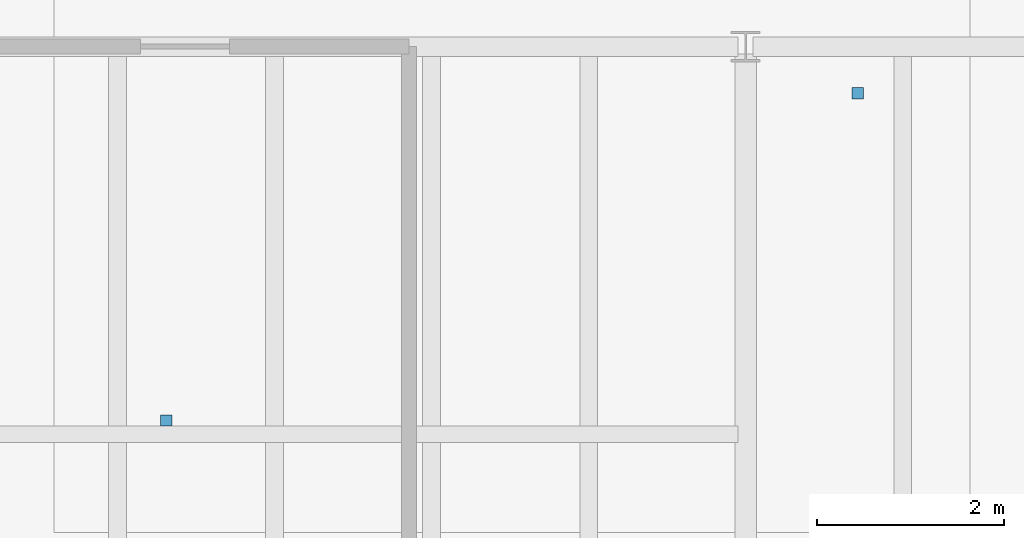
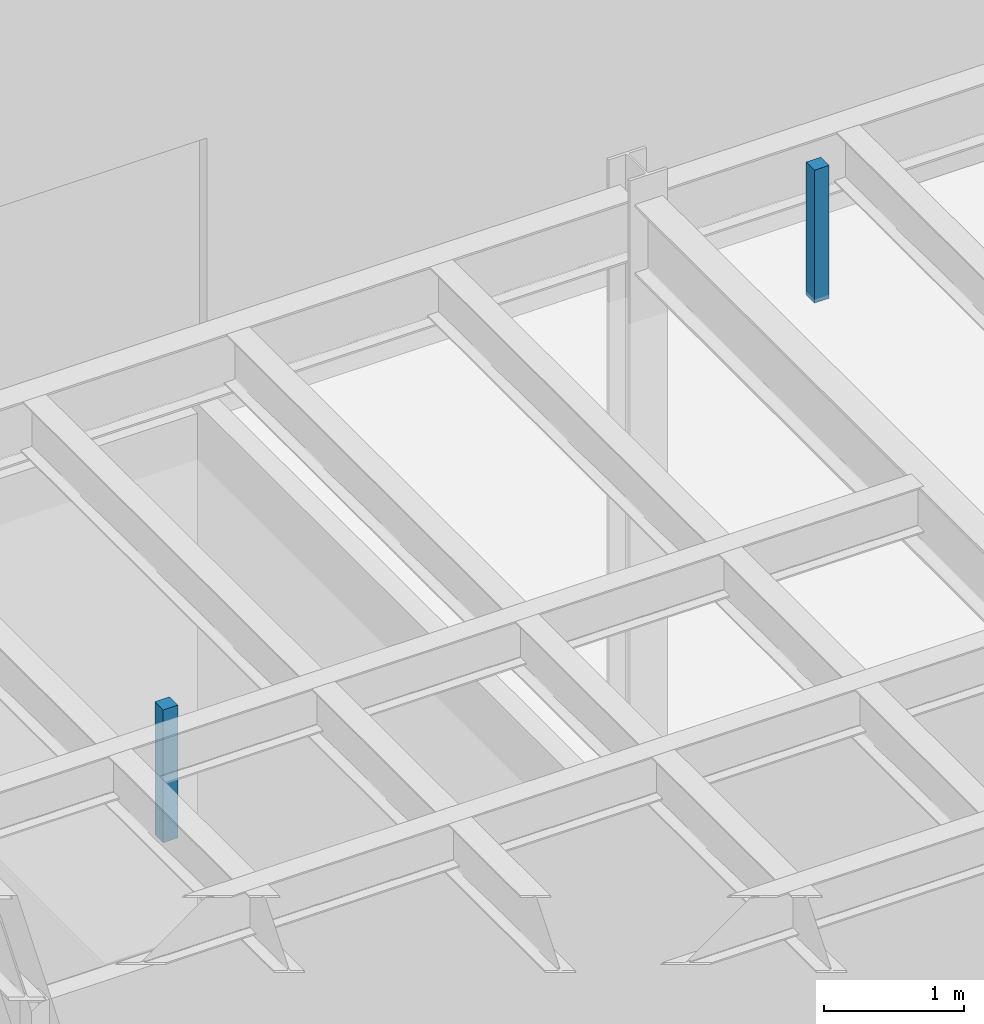
# One storey, part 74 of 87: 2 discrete accessories.
"""IFC4 building model written with IfcOpenShell, lengths in metres."""

from ifc_helpers import new_model, si_unit, direction, frame, origin, origin_2d, place, context, subcontext, project, spatial, rectangle, extrude, material, type_object, element, save


model = new_model("IFC4")

# Units and contexts
model_context = context("Model", 3, precision=1e-05, world=origin(), true_north=direction((0.0, 1.0)))
body_context = subcontext(model_context, "Body", "Model", "MODEL_VIEW")
ifc_project = project(units=[si_unit("LENGTHUNIT", "METRE"), si_unit("AREAUNIT", "SQUARE_METRE"), si_unit("VOLUMEUNIT", "CUBIC_METRE"), si_unit("PLANEANGLEUNIT", "RADIAN"), si_unit("MASSUNIT", "GRAM", prefix="KILO")], contexts=[model_context])

# Site, building, storey
site_placement = place(None, origin())
site = spatial("IfcSite", under=ifc_project, at=site_placement, CompositionType="ELEMENT")
building_placement = place(site_placement, origin())
building = spatial("IfcBuilding", under=site, at=building_placement, Name="Selat Folded Stagehouse", CompositionType="ELEMENT")
storey_placement = place(building_placement, origin())
storey = spatial("IfcBuildingStorey", under=building, at=storey_placement, Name="L00", CompositionType="ELEMENT", Elevation=0.0)

# Discrete accessories
ifc_material = material(Name="Galvanised steel acoustic hanger rod", Category="steel")
discrete_accessory_type = type_object("IfcDiscreteAccessoryType", Name="ACC-HGR-1160", PredefinedType="BRACKET", material=ifc_material)
for number, where, z_axis, x_axis, name in (
    (1, (86.199951171875, 13.800048828125, 4.1201171875), (0.0, 0.0, 1.0), (1.0, 0.0, 0.0), "L00 acoustic ceiling hanger CLG-L00-CAF-1"),
    (2, (93.60009765625, 17.300048828125, 4.1201171875), (0.0, 0.0, 1.0), (1.0, 0.0, 0.0), "L00 acoustic ceiling hanger CLG-L00-CAF-2"),
):
    element("IfcDiscreteAccessory", number, at=place(storey_placement, frame(where, z_axis=z_axis, x_axis=x_axis)), inside=storey, type_object=discrete_accessory_type, Name=name, PredefinedType="BRACKET", context=body_context, shape_type="SweptSolid", body=[
        extrude(rectangle(XDim=0.1201171875, YDim=0.1201171875, at=origin_2d()), origin(), (0.0, 0.0, 1.0), 1.159912109375),
    ])

save(model, "model.ifc")
